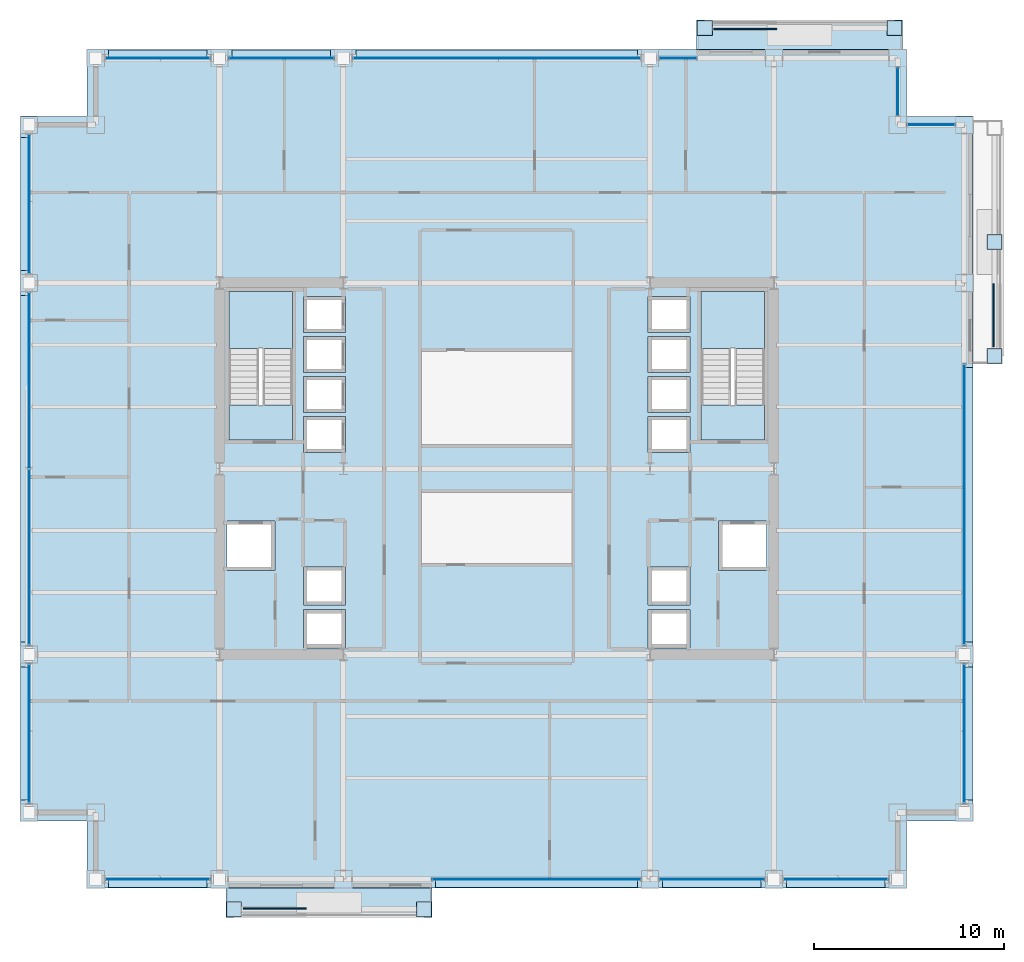
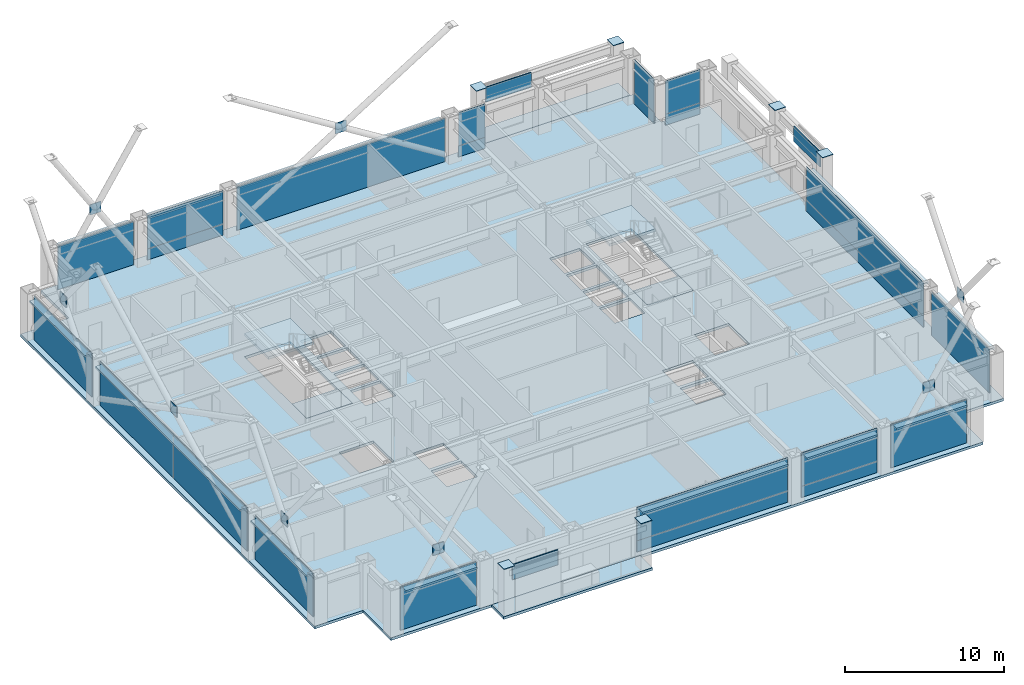
# One storey, part 26 of 34: 52 plates, 7 slabs, 17 elements without a shape of their own.
"""IFC4 building model written with IfcOpenShell, lengths in metres."""

from ifc_helpers import new_model, si_unit, direction, frame, origin, origin_2d, place, context, subcontext, project, spatial, polyline, rectangle, outline, extrude, material, layer, layer_set, type_object, element, aggregate, save


model = new_model("IFC4")

# Units and contexts
model_context = context("Model", 3, precision=1e-05, world=origin(), true_north=direction((0.0, 1.0)))
body_context = subcontext(model_context, "Body", "Model", "MODEL_VIEW")
ifc_project = project(units=[si_unit("LENGTHUNIT", "METRE"), si_unit("AREAUNIT", "SQUARE_METRE"), si_unit("VOLUMEUNIT", "CUBIC_METRE"), si_unit("PLANEANGLEUNIT", "RADIAN"), si_unit("MASSUNIT", "GRAM", prefix="KILO")], contexts=[model_context])

# Site, building, storey
site_placement = place(None, origin())
site = spatial("IfcSite", under=ifc_project, at=site_placement, CompositionType="ELEMENT")
building_placement = place(site_placement, origin())
building = spatial("IfcBuilding", under=site, at=building_placement, Name="Brelmoor Portico Tower", CompositionType="ELEMENT")
storey_placement = place(building_placement, frame((0.0, 0.0, 45.60009765625)))
storey = spatial("IfcBuildingStorey", under=building, at=storey_placement, Name="L11", CompositionType="ELEMENT", Elevation=45.60009765625)

# Plates
ifc_material_1 = material(Name="Steel Q355B", Category="steel")
ifc_layer_1 = layer(ifc_material_1, 0.044921875)
ifc_layer_set_1 = layer_set([ifc_layer_1], Name="Steel Q355B")
plate_type_1 = type_object("IfcPlateType", Name="PT-CAP-650", PredefinedType="SHEET", material=ifc_layer_set_1)
for number, where, z_axis, x_axis, name in (
    (1, (-13.780029296875, -23.1298828125, 3.599853515625), (0.0, 0.0, 1.0), (1.0, 0.0, 0.0), "L11 Proud Picture-Frame Pier PFJ-S1 Welded Head Cap Plate"),
    (2, (-3.820068359375, -23.1298828125, 3.599853515625), (0.0, 0.0, 1.0), (1.0, 0.0, 0.0), "L11 Proud Picture-Frame Pier PFJ-S2 Welded Head Cap Plate"),
    (3, (10.919921875, 23.1298828125, 3.599853515625), (0.0, 0.0, 1.0), (1.0, 0.0, 0.0), "L11 Proud Picture-Frame Pier PFJ-N1 Welded Head Cap Plate"),
    (4, (20.8798828125, 23.1298828125, 3.599853515625), (0.0, 0.0, 1.0), (1.0, 0.0, 0.0), "L11 Proud Picture-Frame Pier PFJ-N2 Welded Head Cap Plate"),
    (5, (26.1298828125, 5.919921875, 3.599853515625), (0.0, 0.0, 1.0), (0.0, 1.0, 0.0), "L11 Proud Picture-Frame Pier PFJ-E1 Welded Head Cap Plate"),
    (6, (26.1298828125, 11.89990234375, 3.599853515625), (0.0, 0.0, 1.0), (0.0, 1.0, 0.0), "L11 Proud Picture-Frame Pier PFJ-E3 Welded Head Cap Plate"),
):
    element("IfcPlate", number, at=place(storey_placement, frame(where, z_axis=z_axis, x_axis=x_axis)), inside=storey, type_object=plate_type_1, Name=name, PredefinedType="SHEET", context=body_context, shape_type="SweptSolid", body=[
        extrude(rectangle(XDim=0.7900390625, YDim=0.7900390625, at=origin_2d()), origin(), (0.0, 0.0, 1.0), 0.0400390625),
    ])

# Curtain wall, plate
ifc_material_2 = material(Name="Anodised Aluminium Alloy 6063-T6", Category="aluminium")
ifc_layer_2 = layer(ifc_material_2, 0.179931640625)
ifc_layer_set_2 = layer_set([ifc_layer_2], Name="Anodised Aluminium Alloy 6063-T6")
curtain_wall_type_1 = type_object("IfcCurtainWallType", Name="CW-TOWER-Z1", PredefinedType="NOTDEFINED", material=ifc_layer_set_2)
curtain_wall_1_placement = place(storey_placement, origin())
curtain_wall_1 = element("IfcCurtainWall", 7, at=curtain_wall_1_placement, inside=storey, type_object=curtain_wall_type_1, Name="L11 Curtain Wall CW-L11-1R-1", PredefinedType="NOTDEFINED")
ifc_material_3 = material(Name="Double-Silver Low-E Insulated Glazing", Category="glass")
ifc_layer_3 = layer(ifc_material_3, 0.035888671875)
ifc_layer_set_3 = layer_set([ifc_layer_3], Name="Double-Silver Low-E Insulated Glazing")
plate_type_2 = type_object("IfcPlateType", Name="PT-CW-GLASS", PredefinedType="CURTAIN_PANEL", material=ifc_layer_set_3)
plate_1_placement = place(storey_placement, frame((2.08251953125, -21.550048828125, 0.85009765625), z_axis=(0.0, 0.0, 1.0), x_axis=(1.0, 0.0, 0.0)))
plate_1 = element("IfcPlate", 8, at=plate_1_placement, type_object=plate_type_2, Name="CW-L11-1R-1 Vision Glass Panel 00", PredefinedType="CURTAIN_PANEL", context=body_context, shape_type="SweptSolid", body=[
    extrude(rectangle(XDim=10.93505859375, YDim=0.035888671875, at=origin_2d()), origin(), (0.0, 0.0, 1.0), 2.550048828125),
])

curtain_wall_2_placement = place(storey_placement, origin())
curtain_wall_2 = element("IfcCurtainWall", 9, at=curtain_wall_2_placement, inside=storey, type_object=curtain_wall_type_1, Name="L11 Curtain Wall CW-L11-1R-2", PredefinedType="NOTDEFINED")
plate_2_placement = place(storey_placement, frame((11.300048828125, -21.550048828125, 0.85009765625), z_axis=(0.0, 0.0, 1.0), x_axis=(1.0, 0.0, 0.0)))
plate_2 = element("IfcPlate", 10, at=plate_2_placement, type_object=plate_type_2, Name="CW-L11-1R-2 Vision Glass Panel 00", PredefinedType="CURTAIN_PANEL", context=body_context, shape_type="SweptSolid", body=[
    extrude(rectangle(XDim=5.5, YDim=0.035888671875, at=origin_2d()), origin(), (0.0, 0.0, 1.0), 2.550048828125),
])

curtain_wall_3_placement = place(storey_placement, origin())
curtain_wall_3 = element("IfcCurtainWall", 11, at=curtain_wall_3_placement, inside=storey, type_object=curtain_wall_type_1, Name="L11 Curtain Wall CW-L11-2L-2", PredefinedType="NOTDEFINED")
plate_3_placement = place(storey_placement, frame((-11.300048828125, 21.550048828125, 0.85009765625), z_axis=(0.0, 0.0, 1.0), x_axis=(1.0, 0.0, 0.0)))
plate_3 = element("IfcPlate", 12, at=plate_3_placement, type_object=plate_type_2, Name="CW-L11-2L-2 Vision Glass Panel 00", PredefinedType="CURTAIN_PANEL", context=body_context, shape_type="SweptSolid", body=[
    extrude(rectangle(XDim=5.5, YDim=0.035888671875, at=origin_2d()), origin(), (0.0, 0.0, 1.0), 2.550048828125),
])

curtain_wall_4_placement = place(storey_placement, origin())
curtain_wall_4 = element("IfcCurtainWall", 13, at=curtain_wall_4_placement, inside=storey, type_object=curtain_wall_type_1, Name="L11 Curtain Wall CW-L11-2L-4", PredefinedType="NOTDEFINED")
plate_4_placement = place(storey_placement, frame((9.517578125, 21.550048828125, 0.85009765625), z_axis=(0.0, 0.0, 1.0), x_axis=(1.0, 0.0, 0.0)))
plate_4 = element("IfcPlate", 14, at=plate_4_placement, type_object=plate_type_2, Name="CW-L11-2L-4 Vision Glass Panel 00", PredefinedType="CURTAIN_PANEL", context=body_context, shape_type="SweptSolid", body=[
    extrude(rectangle(XDim=1.93505859375, YDim=0.035888671875, at=origin_2d()), origin(), (0.0, 0.0, 1.0), 2.550048828125),
])

curtain_wall_5_placement = place(storey_placement, origin())
curtain_wall_5 = element("IfcCurtainWall", 15, at=curtain_wall_5_placement, inside=storey, type_object=curtain_wall_type_1, Name="L11 Curtain Wall CW-L11-4L-2", PredefinedType="NOTDEFINED")
plate_5_placement = place(storey_placement, frame((24.550048828125, -1.882568359375, 0.85009765625), z_axis=(0.0, 0.0, 1.0), x_axis=(0.0, 1.0, 0.0)))
plate_5 = element("IfcPlate", 16, at=plate_5_placement, type_object=plate_type_2, Name="CW-L11-4L-2 Vision Glass Panel 00", PredefinedType="CURTAIN_PANEL", context=body_context, shape_type="SweptSolid", body=[
    extrude(rectangle(XDim=14.735107421875, YDim=0.035888671875, at=origin_2d()), origin(), (0.0, 0.0, 1.0), 2.550048828125),
])

ifc_layer_4 = layer(ifc_material_2, 0.179931640625)
ifc_layer_set_4 = layer_set([ifc_layer_4], Name="Anodised Aluminium Alloy 6063-T6")
curtain_wall_type_2 = type_object("IfcCurtainWallType", Name="CW-NOTCH-CHAMFER", PredefinedType="NOTDEFINED", material=ifc_layer_set_4)
curtain_wall_6_placement = place(storey_placement, origin())
curtain_wall_6 = element("IfcCurtainWall", 17, at=curtain_wall_6_placement, inside=storey, type_object=curtain_wall_type_2, Name="L11 Curtain Wall CWN-L11-NEH", PredefinedType="NOTDEFINED")
plate_6_placement = place(storey_placement, frame((22.800048828125, 18.050048828125, 0.85009765625), z_axis=(0.0, 0.0, 1.0), x_axis=(1.0, 0.0, 0.0)))
plate_6 = element("IfcPlate", 18, at=plate_6_placement, type_object=plate_type_2, Name="CWN-L11-NEH Vision Glass Panel 00", PredefinedType="CURTAIN_PANEL", context=body_context, shape_type="SweptSolid", body=[
    extrude(rectangle(XDim=2.5, YDim=0.035888671875, at=origin_2d()), origin(), (0.0, 0.0, 1.0), 2.550048828125),
])

curtain_wall_7_placement = place(storey_placement, origin())
curtain_wall_7 = element("IfcCurtainWall", 19, at=curtain_wall_7_placement, inside=storey, type_object=curtain_wall_type_2, Name="L11 Curtain Wall CWN-L11-NEV", PredefinedType="NOTDEFINED")
plate_7_placement = place(storey_placement, frame((21.050048828125, 19.800048828125, 0.85009765625), z_axis=(0.0, 0.0, 1.0), x_axis=(0.0, 1.0, 0.0)))
plate_7 = element("IfcPlate", 20, at=plate_7_placement, type_object=plate_type_2, Name="CWN-L11-NEV Vision Glass Panel 00", PredefinedType="CURTAIN_PANEL", context=body_context, shape_type="SweptSolid", body=[
    extrude(rectangle(XDim=2.5, YDim=0.035888671875, at=origin_2d()), origin(), (0.0, 0.0, 1.0), 2.550048828125),
])

ifc_layer_5 = layer(ifc_material_2, 0.179931640625)
ifc_layer_set_5 = layer_set([ifc_layer_5], Name="Anodised Aluminium Alloy 6063-T6")
curtain_wall_type_3 = type_object("IfcCurtainWallType", Name="CW-TOWER-Z1-XB", PredefinedType="NOTDEFINED", material=ifc_layer_set_5)
curtain_wall_8_placement = place(storey_placement, origin())
curtain_wall_8 = element("IfcCurtainWall", 21, at=curtain_wall_8_placement, inside=storey, type_object=curtain_wall_type_3, Name="L11 Curtain Wall CW-L11-1L", PredefinedType="NOTDEFINED")
ifc_material_4 = material(Name="Pale Champagne Anodised Aluminium Panel", Category="aluminium")
ifc_layer_6 = layer(ifc_material_4, 0.050048828125)
ifc_layer_set_6 = layer_set([ifc_layer_6], Name="Pale Champagne Anodised Aluminium Panel")
plate_type_3 = type_object("IfcPlateType", Name="PT-CW-SPANDREL", PredefinedType="SHEET", material=ifc_layer_set_6)
plate_8_placement = place(storey_placement, frame((-17.800048828125, -21.550048828125, -0.000244140625), z_axis=(0.0, 0.0, 1.0), x_axis=(1.0, 0.0, 0.0)))
plate_8 = element("IfcPlate", 22, at=plate_8_placement, type_object=plate_type_3, Name="CW-L11-1L Spandrel Panel 00", PredefinedType="SHEET", context=body_context, shape_type="SweptSolid", body=[
    extrude(rectangle(XDim=5.5, YDim=0.050048828125, at=origin_2d()), origin(), (0.0, 0.0, 1.0), 3.330078125),
])
aggregate(curtain_wall_8, [plate_8])

# Plate
plate_9_placement = place(storey_placement, frame((2.08251953125, -21.550048828125, -0.000244140625), z_axis=(0.0, 0.0, 1.0), x_axis=(1.0, 0.0, 0.0)))
plate_9 = element("IfcPlate", 23, at=plate_9_placement, type_object=plate_type_3, Name="CW-L11-1R-1 Spandrel Panel 00", PredefinedType="SHEET", context=body_context, shape_type="SweptSolid", body=[
    extrude(rectangle(XDim=10.93505859375, YDim=0.050048828125, at=origin_2d()), origin(), (0.0, 0.0, 1.0), 0.85009765625),
])

aggregate(curtain_wall_1, [plate_9, plate_1])

plate_10_placement = place(storey_placement, frame((11.300048828125, -21.550048828125, -0.000244140625), z_axis=(0.0, 0.0, 1.0), x_axis=(1.0, 0.0, 0.0)))
plate_10 = element("IfcPlate", 24, at=plate_10_placement, type_object=plate_type_3, Name="CW-L11-1R-2 Spandrel Panel 00", PredefinedType="SHEET", context=body_context, shape_type="SweptSolid", body=[
    extrude(rectangle(XDim=5.5, YDim=0.050048828125, at=origin_2d()), origin(), (0.0, 0.0, 1.0), 0.85009765625),
])

aggregate(curtain_wall_2, [plate_10, plate_2])

# Curtain wall, plate
curtain_wall_9_placement = place(storey_placement, origin())
curtain_wall_9 = element("IfcCurtainWall", 25, at=curtain_wall_9_placement, inside=storey, type_object=curtain_wall_type_3, Name="L11 Curtain Wall CW-L11-1R-3", PredefinedType="NOTDEFINED")
plate_11_placement = place(storey_placement, frame((17.800048828125, -21.550048828125, -0.000244140625), z_axis=(0.0, 0.0, 1.0), x_axis=(1.0, 0.0, 0.0)))
plate_11 = element("IfcPlate", 26, at=plate_11_placement, type_object=plate_type_3, Name="CW-L11-1R-3 Spandrel Panel 00", PredefinedType="SHEET", context=body_context, shape_type="SweptSolid", body=[
    extrude(rectangle(XDim=5.5, YDim=0.050048828125, at=origin_2d()), origin(), (0.0, 0.0, 1.0), 3.330078125),
])
aggregate(curtain_wall_9, [plate_11])

curtain_wall_10_placement = place(storey_placement, origin())
curtain_wall_10 = element("IfcCurtainWall", 27, at=curtain_wall_10_placement, inside=storey, type_object=curtain_wall_type_3, Name="L11 Curtain Wall CW-L11-2L-1", PredefinedType="NOTDEFINED")
plate_12_placement = place(storey_placement, frame((-17.800048828125, 21.550048828125, -0.000244140625), z_axis=(0.0, 0.0, 1.0), x_axis=(1.0, 0.0, 0.0)))
plate_12 = element("IfcPlate", 28, at=plate_12_placement, type_object=plate_type_3, Name="CW-L11-2L-1 Spandrel Panel 00", PredefinedType="SHEET", context=body_context, shape_type="SweptSolid", body=[
    extrude(rectangle(XDim=5.5, YDim=0.050048828125, at=origin_2d()), origin(), (0.0, 0.0, 1.0), 3.330078125),
])
aggregate(curtain_wall_10, [plate_12])

# Plate
plate_13_placement = place(storey_placement, frame((-11.300048828125, 21.550048828125, -0.000244140625), z_axis=(0.0, 0.0, 1.0), x_axis=(1.0, 0.0, 0.0)))
plate_13 = element("IfcPlate", 29, at=plate_13_placement, type_object=plate_type_3, Name="CW-L11-2L-2 Spandrel Panel 00", PredefinedType="SHEET", context=body_context, shape_type="SweptSolid", body=[
    extrude(rectangle(XDim=5.5, YDim=0.050048828125, at=origin_2d()), origin(), (0.0, 0.0, 1.0), 0.85009765625),
])

aggregate(curtain_wall_3, [plate_13, plate_3])

# Curtain wall, plate
curtain_wall_11_placement = place(storey_placement, origin())
curtain_wall_11 = element("IfcCurtainWall", 30, at=curtain_wall_11_placement, inside=storey, type_object=curtain_wall_type_3, Name="L11 Curtain Wall CW-L11-2L-3", PredefinedType="NOTDEFINED")
plate_14_placement = place(storey_placement, frame((0.0, 21.550048828125, -0.000244140625), z_axis=(0.0, 0.0, 1.0), x_axis=(1.0, 0.0, 0.0)))
plate_14 = element("IfcPlate", 31, at=plate_14_placement, type_object=plate_type_3, Name="CW-L11-2L-3 Spandrel Panel 00", PredefinedType="SHEET", context=body_context, shape_type="SweptSolid", body=[
    extrude(rectangle(XDim=15.10009765625, YDim=0.050048828125, at=origin_2d()), origin(), (0.0, 0.0, 1.0), 3.330078125),
])
aggregate(curtain_wall_11, [plate_14])

# Plate
plate_15_placement = place(storey_placement, frame((9.517578125, 21.550048828125, -0.000244140625), z_axis=(0.0, 0.0, 1.0), x_axis=(1.0, 0.0, 0.0)))
plate_15 = element("IfcPlate", 32, at=plate_15_placement, type_object=plate_type_3, Name="CW-L11-2L-4 Spandrel Panel 00", PredefinedType="SHEET", context=body_context, shape_type="SweptSolid", body=[
    extrude(rectangle(XDim=1.93505859375, YDim=0.050048828125, at=origin_2d()), origin(), (0.0, 0.0, 1.0), 0.85009765625),
])

aggregate(curtain_wall_4, [plate_15, plate_4])

# Curtain wall, plate
curtain_wall_12_placement = place(storey_placement, origin())
curtain_wall_12 = element("IfcCurtainWall", 33, at=curtain_wall_12_placement, inside=storey, type_object=curtain_wall_type_3, Name="L11 Curtain Wall CW-L11-03-1", PredefinedType="NOTDEFINED")
plate_16_placement = place(storey_placement, frame((-24.550048828125, -13.89990234375, -0.000244140625), z_axis=(0.0, 0.0, 1.0), x_axis=(0.0, 1.0, 0.0)))
plate_16 = element("IfcPlate", 34, at=plate_16_placement, type_object=plate_type_3, Name="CW-L11-03-1 Spandrel Panel 00", PredefinedType="SHEET", context=body_context, shape_type="SweptSolid", body=[
    extrude(rectangle(XDim=7.300048828125, YDim=0.050048828125, at=origin_2d()), origin(), (0.0, 0.0, 1.0), 3.330078125),
])
aggregate(curtain_wall_12, [plate_16])

# Curtain wall, plates
curtain_wall_13_placement = place(storey_placement, origin())
curtain_wall_13 = element("IfcCurtainWall", 35, at=curtain_wall_13_placement, inside=storey, type_object=curtain_wall_type_3, Name="L11 Curtain Wall CW-L11-03-2", PredefinedType="NOTDEFINED")
plate_17_placement = place(storey_placement, frame((-24.550048828125, -4.632568359375, -0.000244140625), z_axis=(0.0, 0.0, 1.0), x_axis=(0.0, 1.0, 0.0)))
plate_17 = element("IfcPlate", 36, at=plate_17_placement, type_object=plate_type_3, Name="CW-L11-03-2 Spandrel Panel 00", PredefinedType="SHEET", context=body_context, shape_type="SweptSolid", body=[
    extrude(rectangle(XDim=9.235107421875, YDim=0.050048828125, at=origin_2d()), origin(), (0.0, 0.0, 1.0), 3.330078125),
])
plate_18_placement = place(storey_placement, frame((-24.550048828125, 4.632568359375, -0.000244140625), z_axis=(0.0, 0.0, 1.0), x_axis=(0.0, 1.0, 0.0)))
plate_18 = element("IfcPlate", 37, at=plate_18_placement, type_object=plate_type_3, Name="CW-L11-03-2 Spandrel Panel 01", PredefinedType="SHEET", context=body_context, shape_type="SweptSolid", body=[
    extrude(rectangle(XDim=9.235107421875, YDim=0.050048828125, at=origin_2d()), origin(), (0.0, 0.0, 1.0), 3.330078125),
])
aggregate(curtain_wall_13, [plate_17, plate_18])

# Curtain wall, plate
curtain_wall_14_placement = place(storey_placement, origin())
curtain_wall_14 = element("IfcCurtainWall", 38, at=curtain_wall_14_placement, inside=storey, type_object=curtain_wall_type_3, Name="L11 Curtain Wall CW-L11-03-3", PredefinedType="NOTDEFINED")
plate_19_placement = place(storey_placement, frame((-24.550048828125, 13.89990234375, -0.000244140625), z_axis=(0.0, 0.0, 1.0), x_axis=(0.0, 1.0, 0.0)))
plate_19 = element("IfcPlate", 39, at=plate_19_placement, type_object=plate_type_3, Name="CW-L11-03-3 Spandrel Panel 00", PredefinedType="SHEET", context=body_context, shape_type="SweptSolid", body=[
    extrude(rectangle(XDim=7.300048828125, YDim=0.050048828125, at=origin_2d()), origin(), (0.0, 0.0, 1.0), 3.330078125),
])
aggregate(curtain_wall_14, [plate_19])

curtain_wall_15_placement = place(storey_placement, origin())
curtain_wall_15 = element("IfcCurtainWall", 40, at=curtain_wall_15_placement, inside=storey, type_object=curtain_wall_type_3, Name="L11 Curtain Wall CW-L11-4L-1", PredefinedType="NOTDEFINED")
plate_20_placement = place(storey_placement, frame((24.550048828125, -13.89990234375, -0.000244140625), z_axis=(0.0, 0.0, 1.0), x_axis=(0.0, 1.0, 0.0)))
plate_20 = element("IfcPlate", 41, at=plate_20_placement, type_object=plate_type_3, Name="CW-L11-4L-1 Spandrel Panel 00", PredefinedType="SHEET", context=body_context, shape_type="SweptSolid", body=[
    extrude(rectangle(XDim=7.300048828125, YDim=0.050048828125, at=origin_2d()), origin(), (0.0, 0.0, 1.0), 3.330078125),
])
aggregate(curtain_wall_15, [plate_20])

# Plate
plate_21_placement = place(storey_placement, frame((24.550048828125, -1.882568359375, -0.000244140625), z_axis=(0.0, 0.0, 1.0), x_axis=(0.0, 1.0, 0.0)))
plate_21 = element("IfcPlate", 42, at=plate_21_placement, type_object=plate_type_3, Name="CW-L11-4L-2 Spandrel Panel 00", PredefinedType="SHEET", context=body_context, shape_type="SweptSolid", body=[
    extrude(rectangle(XDim=14.735107421875, YDim=0.050048828125, at=origin_2d()), origin(), (0.0, 0.0, 1.0), 0.85009765625),
])

aggregate(curtain_wall_5, [plate_21, plate_5])

plate_22_placement = place(storey_placement, frame((22.800048828125, 18.050048828125, -0.000244140625), z_axis=(0.0, 0.0, 1.0), x_axis=(1.0, 0.0, 0.0)))
plate_22 = element("IfcPlate", 43, at=plate_22_placement, type_object=plate_type_3, Name="CWN-L11-NEH Spandrel Panel 00", PredefinedType="SHEET", context=body_context, shape_type="SweptSolid", body=[
    extrude(rectangle(XDim=2.5, YDim=0.050048828125, at=origin_2d()), origin(), (0.0, 0.0, 1.0), 0.85009765625),
])

aggregate(curtain_wall_6, [plate_22, plate_6])

plate_23_placement = place(storey_placement, frame((21.050048828125, 19.800048828125, -0.000244140625), z_axis=(0.0, 0.0, 1.0), x_axis=(0.0, 1.0, 0.0)))
plate_23 = element("IfcPlate", 44, at=plate_23_placement, type_object=plate_type_3, Name="CWN-L11-NEV Spandrel Panel 00", PredefinedType="SHEET", context=body_context, shape_type="SweptSolid", body=[
    extrude(rectangle(XDim=2.5, YDim=0.050048828125, at=origin_2d()), origin(), (0.0, 0.0, 1.0), 0.85009765625),
])

aggregate(curtain_wall_7, [plate_23, plate_7])

# Plates
ifc_layer_7 = layer(ifc_material_1, 0.050048828125)
ifc_layer_set_7 = layer_set([ifc_layer_7], Name="Steel Q355B")
plate_type_4 = type_object("IfcPlateType", Name="PT-GUSSET-800", PredefinedType="USERDEFINED", material=ifc_layer_set_7)
for number, where, z_axis, x_axis, name in (
    (45, (-17.800048828125, -21.550048828125, 4.89990234375), (0.0, 0.0, 1.0), (1.0, 0.0, 0.0), "L11 Perimeter Mega-Brace Gusset 017"),
    (46, (17.800048828125, -21.550048828125, 4.89990234375), (0.0, 0.0, 1.0), (1.0, 0.0, 0.0), "L11 Perimeter Mega-Brace Gusset 018"),
    (47, (-17.800048828125, 21.550048828125, 4.89990234375), (0.0, 0.0, 1.0), (1.0, 0.0, 0.0), "L11 Perimeter Mega-Brace Gusset 019"),
    (48, (0.0, 21.550048828125, 4.89990234375), (0.0, 0.0, 1.0), (1.0, 0.0, 0.0), "L11 Perimeter Mega-Brace Gusset 020"),
):
    element("IfcPlate", number, at=place(storey_placement, frame(where, z_axis=z_axis, x_axis=x_axis)), inside=storey, type_object=plate_type_4, Name=name, ObjectType="GUSSET PLATE", PredefinedType="USERDEFINED", context=body_context, shape_type="SweptSolid", body=[
        extrude(rectangle(XDim=0.800048828125, YDim=0.050048828125, at=origin_2d()), origin(), (0.0, 0.0, 1.0), 0.800048828125),
    ])
for number, where, z_axis, x_axis, name in (
    (49, (-24.550048828125, -13.89990234375, 4.89990234375), (0.0, 0.0, 1.0), (1.0, 0.0, 0.0), "L11 Perimeter Mega-Brace Gusset 021"),
    (50, (-24.550048828125, 0.0, 4.89990234375), (0.0, 0.0, 1.0), (1.0, 0.0, 0.0), "L11 Perimeter Mega-Brace Gusset 022"),
    (51, (-24.550048828125, 13.89990234375, 4.89990234375), (0.0, 0.0, 1.0), (1.0, 0.0, 0.0), "L11 Perimeter Mega-Brace Gusset 023"),
    (52, (24.550048828125, -13.89990234375, 4.89990234375), (0.0, 0.0, 1.0), (1.0, 0.0, 0.0), "L11 Perimeter Mega-Brace Gusset 024"),
):
    element("IfcPlate", number, at=place(storey_placement, frame(where, z_axis=z_axis, x_axis=x_axis)), inside=storey, type_object=plate_type_4, Name=name, ObjectType="GUSSET PLATE", PredefinedType="USERDEFINED", context=body_context, shape_type="SweptSolid", body=[
        extrude(rectangle(XDim=0.050048828125, YDim=0.800048828125, at=origin_2d()), origin(), (0.0, 0.0, 1.0), 0.800048828125),
    ])
ifc_material_5 = material(Name="Powder-Coated Aluminium Shuttered Jalousie Louvre", Category="aluminium")
ifc_layer_8 = layer(ifc_material_5, 0.06005859375)
ifc_layer_set_8 = layer_set([ifc_layer_8], Name="Powder-Coated Aluminium Shuttered Jalousie Louvre")
plate_type_5 = type_object("IfcPlateType", Name="PT-JALOUSIE-SHUTTER", PredefinedType="SHEET", material=ifc_layer_set_8)
for number, where, z_axis, x_axis, name in (
    (53, (-11.64990234375, -23.080078125, 2.27490234375), (0.0, 0.0, 1.0), (1.0, 0.0, 0.0), "L11 Shuttered Veranda Screen S"),
    (54, (13.050048828125, 23.080078125, 2.27490234375), (0.0, 0.0, 1.0), (1.0, 0.0, 0.0), "L11 Shuttered Veranda Screen N"),
    (55, (26.080078125, 8.050048828125, 2.27490234375), (0.0, 0.0, 1.0), (0.0, 1.0, 0.0), "L11 Shuttered Veranda Screen E"),
):
    element("IfcPlate", number, at=place(storey_placement, frame(where, z_axis=z_axis, x_axis=x_axis)), inside=storey, type_object=plate_type_5, Name=name, PredefinedType="SHEET", context=body_context, shape_type="SweptSolid", body=[
        extrude(rectangle(XDim=3.300048828125, YDim=0.080078125, at=origin_2d()), origin(), (0.0, 0.0, 1.0), 1.14990234375),
    ])
ifc_material_6 = material(Name="Pale Champagne Perforated Aluminium Solar Screen", Category="aluminium")
ifc_layer_9 = layer(ifc_material_6, 0.054931640625)
ifc_layer_set_9 = layer_set([ifc_layer_9], Name="Pale Champagne Perforated Aluminium Solar Screen")
plate_type_6 = type_object("IfcPlateType", Name="PT-SOLAR-LOUVRE", PredefinedType="SHEET", material=ifc_layer_set_9)
plate_24_placement = place(storey_placement, frame((-17.800048828125, -21.760009765625, 3.08984375), z_axis=(0.0, 0.0, 1.0), x_axis=(1.0, 0.0, 0.0)))
element("IfcPlate", 56, at=plate_24_placement, inside=storey, type_object=plate_type_6, Name="CW-L11-1L Caribbean Brise-Soleil Solar Screen", PredefinedType="SHEET", context=body_context, shape_type="SweptSolid", body=[
    extrude(rectangle(XDim=5.169921875, YDim=0.4599609375, at=origin_2d()), origin(), (0.0, 0.0, 1.0), 0.139892578125),
])
plate_25_placement = place(storey_placement, frame((2.08251953125, -21.760009765625, 3.08984375), z_axis=(0.0, 0.0, 1.0), x_axis=(1.0, 0.0, 0.0)))
element("IfcPlate", 57, at=plate_25_placement, inside=storey, type_object=plate_type_6, Name="CW-L11-1R-1 Caribbean Brise-Soleil Solar Screen", PredefinedType="SHEET", context=body_context, shape_type="SweptSolid", body=[
    extrude(rectangle(XDim=10.60498046875, YDim=0.4599609375, at=origin_2d()), origin(), (0.0, 0.0, 1.0), 0.139892578125),
])
for number, where, z_axis, x_axis, name in (
    (58, (11.300048828125, -21.760009765625, 3.08984375), (0.0, 0.0, 1.0), (1.0, 0.0, 0.0), "CW-L11-1R-2 Caribbean Brise-Soleil Solar Screen"),
    (59, (17.800048828125, -21.760009765625, 3.08984375), (0.0, 0.0, 1.0), (1.0, 0.0, 0.0), "CW-L11-1R-3 Caribbean Brise-Soleil Solar Screen"),
    (60, (-17.800048828125, 21.760009765625, 3.08984375), (0.0, 0.0, 1.0), (1.0, 0.0, 0.0), "CW-L11-2L-1 Caribbean Brise-Soleil Solar Screen"),
    (61, (-11.300048828125, 21.760009765625, 3.08984375), (0.0, 0.0, 1.0), (1.0, 0.0, 0.0), "CW-L11-2L-2 Caribbean Brise-Soleil Solar Screen"),
):
    element("IfcPlate", number, at=place(storey_placement, frame(where, z_axis=z_axis, x_axis=x_axis)), inside=storey, type_object=plate_type_6, Name=name, PredefinedType="SHEET", context=body_context, shape_type="SweptSolid", body=[
        extrude(rectangle(XDim=5.169921875, YDim=0.4599609375, at=origin_2d()), origin(), (0.0, 0.0, 1.0), 0.139892578125),
    ])
plate_26_placement = place(storey_placement, frame((0.0, 21.760009765625, 3.08984375), z_axis=(0.0, 0.0, 1.0), x_axis=(1.0, 0.0, 0.0)))
element("IfcPlate", 62, at=plate_26_placement, inside=storey, type_object=plate_type_6, Name="CW-L11-2L-3 Caribbean Brise-Soleil Solar Screen", PredefinedType="SHEET", context=body_context, shape_type="SweptSolid", body=[
    extrude(rectangle(XDim=14.77001953125, YDim=0.4599609375, at=origin_2d()), origin(), (0.0, 0.0, 1.0), 0.139892578125),
])
plate_27_placement = place(storey_placement, frame((-24.760009765625, -13.89990234375, 3.08984375), z_axis=(0.0, 0.0, 1.0), x_axis=(0.0, 1.0, 0.0)))
element("IfcPlate", 63, at=plate_27_placement, inside=storey, type_object=plate_type_6, Name="CW-L11-03-1 Caribbean Brise-Soleil Solar Screen", PredefinedType="SHEET", context=body_context, shape_type="SweptSolid", body=[
    extrude(rectangle(XDim=6.969970703125, YDim=0.4599609375, at=origin_2d()), origin(), (0.0, 0.0, 1.0), 0.139892578125),
])
plate_28_placement = place(storey_placement, frame((-24.760009765625, 0.0, 3.08984375), z_axis=(0.0, 0.0, 1.0), x_axis=(0.0, 1.0, 0.0)))
element("IfcPlate", 64, at=plate_28_placement, inside=storey, type_object=plate_type_6, Name="CW-L11-03-2 Caribbean Brise-Soleil Solar Screen", PredefinedType="SHEET", context=body_context, shape_type="SweptSolid", body=[
    extrude(rectangle(XDim=18.169921875, YDim=0.4599609375, at=origin_2d()), origin(), (0.0, 0.0, 1.0), 0.139892578125),
])
for number, where, z_axis, x_axis, name in (
    (65, (-24.760009765625, 13.89990234375, 3.08984375), (0.0, 0.0, 1.0), (0.0, 1.0, 0.0), "CW-L11-03-3 Caribbean Brise-Soleil Solar Screen"),
    (66, (24.760009765625, -13.89990234375, 3.08984375), (0.0, 0.0, 1.0), (0.0, 1.0, 0.0), "CW-L11-4L-1 Caribbean Brise-Soleil Solar Screen"),
):
    element("IfcPlate", number, at=place(storey_placement, frame(where, z_axis=z_axis, x_axis=x_axis)), inside=storey, type_object=plate_type_6, Name=name, PredefinedType="SHEET", context=body_context, shape_type="SweptSolid", body=[
        extrude(rectangle(XDim=6.969970703125, YDim=0.4599609375, at=origin_2d()), origin(), (0.0, 0.0, 1.0), 0.139892578125),
    ])
plate_29_placement = place(storey_placement, frame((24.760009765625, -1.882568359375, 3.08984375), z_axis=(0.0, 0.0, 1.0), x_axis=(0.0, 1.0, 0.0)))
element("IfcPlate", 67, at=plate_29_placement, inside=storey, type_object=plate_type_6, Name="CW-L11-4L-2 Caribbean Brise-Soleil Solar Screen", PredefinedType="SHEET", context=body_context, shape_type="SweptSolid", body=[
    extrude(rectangle(XDim=14.405029296875, YDim=0.4599609375, at=origin_2d()), origin(), (0.0, 0.0, 1.0), 0.139892578125),
])

# Slabs
ifc_material_7 = material(Name="Concrete C40", Category="concrete")
ifc_layer_10 = layer(ifc_material_7, 0.199951171875)
ifc_layer_set_10 = layer_set([ifc_layer_10], Name="Concrete C40")
slab_type_1 = type_object("IfcSlabType", Name="SL-BALCONY-200", PredefinedType="FLOOR", material=ifc_layer_set_10)
slab_1_placement = place(storey_placement, frame((0.0, 0.0, -0.2001953125)))
element("IfcSlab", 68, at=slab_1_placement, inside=storey, type_object=slab_type_1, Name="L11 Loggia Tree Balcony Slab S", PredefinedType="FLOOR", context=body_context, shape_type="SweptSolid", body=[
    extrude(outline(polyline([(-14.199951171875, -23.550048828125), (-3.39990234375, -23.550048828125), (-3.39990234375, -22.0), (-14.199951171875, -22.0), (-14.199951171875, -23.550048828125)])), origin(), (0.0, 0.0, 1.0), 0.2001953125),
])
slab_2_placement = place(storey_placement, frame((0.0, 0.0, -0.2001953125)))
element("IfcSlab", 69, at=slab_2_placement, inside=storey, type_object=slab_type_1, Name="L11 Loggia Tree Balcony Slab N", PredefinedType="FLOOR", context=body_context, shape_type="SweptSolid", body=[
    extrude(outline(polyline([(10.5, 22.0), (21.300048828125, 22.0), (21.300048828125, 23.550048828125), (10.5, 23.550048828125), (10.5, 22.0)])), origin(), (0.0, 0.0, 1.0), 0.2001953125),
])
ifc_layer_11 = layer(ifc_material_7, 0.199951171875)
ifc_layer_set_11 = layer_set([ifc_layer_11], Name="Concrete C40")
slab_type_2 = type_object("IfcSlabType", Name="SL-FLOOR-200", PredefinedType="FLOOR", material=ifc_layer_set_11)
slab_3_placement = place(storey_placement, frame((0.0, 0.0, -0.2001953125)))
element("IfcSlab", 70, at=slab_3_placement, inside=storey, type_object=slab_type_2, Name="L11 Main Structural Floor Slab", PredefinedType="FLOOR", context=body_context, shape_type="SweptSolid", body=[
    extrude(outline(polyline([(-21.5, -22.0), (21.5, -22.0), (21.5, -18.5), (25.0, -18.5), (25.0, 18.5), (21.5, 18.5), (21.5, 22.0), (-21.5, 22.0), (-21.5, 18.5), (-25.0, 18.5), (-25.0, -18.5), (-21.5, -18.5), (-21.5, -22.0)]), holes=[polyline([(-10.72998046875, 1.5), (-10.72998046875, 9.300048828125), (-14.050048828125, 9.300048828125), (-14.050048828125, 1.5), (-10.72998046875, 1.5)]), polyline([(14.050048828125, 1.5), (14.050048828125, 9.300048828125), (10.72998046875, 9.300048828125), (10.72998046875, 1.5), (14.050048828125, 1.5)]), polyline([(-10.14990234375, 0.85009765625), (-7.949951171875, 0.85009765625), (-7.949951171875, 2.75), (-10.14990234375, 2.75), (-10.14990234375, 0.85009765625)]), polyline([(-10.14990234375, 2.949951171875), (-7.949951171875, 2.949951171875), (-7.949951171875, 4.85009765625), (-10.14990234375, 4.85009765625), (-10.14990234375, 2.949951171875)]), polyline([(-10.14990234375, 5.050048828125), (-7.949951171875, 5.050048828125), (-7.949951171875, 6.949951171875), (-10.14990234375, 6.949951171875), (-10.14990234375, 5.050048828125)]), polyline([(-10.14990234375, 7.14990234375), (-7.949951171875, 7.14990234375), (-7.949951171875, 9.050048828125), (-10.14990234375, 9.050048828125), (-10.14990234375, 7.14990234375)]), polyline([(7.949951171875, 0.85009765625), (10.14990234375, 0.85009765625), (10.14990234375, 2.75), (7.949951171875, 2.75), (7.949951171875, 0.85009765625)]), polyline([(7.949951171875, 2.949951171875), (10.14990234375, 2.949951171875), (10.14990234375, 4.85009765625), (7.949951171875, 4.85009765625), (7.949951171875, 2.949951171875)]), polyline([(7.949951171875, 5.050048828125), (10.14990234375, 5.050048828125), (10.14990234375, 6.949951171875), (7.949951171875, 6.949951171875), (7.949951171875, 5.050048828125)]), polyline([(7.949951171875, 7.14990234375), (10.14990234375, 7.14990234375), (10.14990234375, 9.050048828125), (7.949951171875, 9.050048828125), (7.949951171875, 7.14990234375)]), polyline([(-10.14990234375, -9.39990234375), (-7.949951171875, -9.39990234375), (-7.949951171875, -7.39990234375), (-10.14990234375, -7.39990234375), (-10.14990234375, -9.39990234375)]), polyline([(-10.14990234375, -7.14990234375), (-7.949951171875, -7.14990234375), (-7.949951171875, -5.14990234375), (-10.14990234375, -5.14990234375), (-10.14990234375, -7.14990234375)]), polyline([(7.949951171875, -9.39990234375), (10.14990234375, -9.39990234375), (10.14990234375, -7.39990234375), (7.949951171875, -7.39990234375), (7.949951171875, -9.39990234375)]), polyline([(7.949951171875, -7.14990234375), (10.14990234375, -7.14990234375), (10.14990234375, -5.14990234375), (7.949951171875, -5.14990234375), (7.949951171875, -7.14990234375)]), polyline([(-14.14990234375, -5.35009765625), (-11.64990234375, -5.35009765625), (-11.64990234375, -2.75), (-14.14990234375, -2.75), (-14.14990234375, -5.35009765625)]), polyline([(11.64990234375, -5.35009765625), (14.14990234375, -5.35009765625), (14.14990234375, -2.75), (11.64990234375, -2.75), (11.64990234375, -5.35009765625)])]), origin(), (0.0, 0.0, 1.0), 0.2001953125),
])

# Stair, slab
stair_type_1 = type_object("IfcStairType", Name="ST-CORE-W", PredefinedType="HALF_TURN_STAIR", material=ifc_material_7)
stair_1_placement = place(storey_placement, origin())
stair_1 = element("IfcStair", 71, at=stair_1_placement, inside=storey, type_object=stair_type_1, Name="L11 Protected Core Exit Stair ST-W", PredefinedType="HALF_TURN_STAIR")
ifc_layer_12 = layer(ifc_material_7, 0.179931640625)
ifc_layer_set_12 = layer_set([ifc_layer_12], Name="Concrete C40")
slab_type_3 = type_object("IfcSlabType", Name="SL-LANDING-180", PredefinedType="LANDING", material=ifc_layer_set_12)
slab_4_placement = place(storey_placement, frame((0.0, 0.0, 1.599853515625)))
slab_4 = element("IfcSlab", 72, at=slab_4_placement, type_object=slab_type_3, Name="ST-W landing 1", PredefinedType="LANDING", context=body_context, shape_type="SweptSolid", body=[
    extrude(outline(polyline([(-10.72998046875, 6.300048828125), (-10.72998046875, 9.300048828125), (-14.050048828125, 9.300048828125), (-14.050048828125, 6.300048828125), (-10.72998046875, 6.300048828125)])), origin(), (0.0, 0.0, 1.0), 0.199951171875),
])
aggregate(stair_1, [slab_4])

stair_type_2 = type_object("IfcStairType", Name="ST-CORE-E", PredefinedType="HALF_TURN_STAIR", material=ifc_material_7)
stair_2_placement = place(storey_placement, origin())
stair_2 = element("IfcStair", 73, at=stair_2_placement, inside=storey, type_object=stair_type_2, Name="L11 Protected Core Exit Stair ST-E", PredefinedType="HALF_TURN_STAIR")
slab_5_placement = place(storey_placement, frame((0.0, 0.0, 1.599853515625)))
slab_5 = element("IfcSlab", 74, at=slab_5_placement, type_object=slab_type_3, Name="ST-E landing 1", PredefinedType="LANDING", context=body_context, shape_type="SweptSolid", body=[
    extrude(outline(polyline([(14.050048828125, 6.300048828125), (14.050048828125, 9.300048828125), (10.72998046875, 9.300048828125), (10.72998046875, 6.300048828125), (14.050048828125, 6.300048828125)])), origin(), (0.0, 0.0, 1.0), 0.199951171875),
])
aggregate(stair_2, [slab_5])

# Slabs
ifc_layer_13 = layer(ifc_material_7, 0.199951171875)
ifc_layer_set_13 = layer_set([ifc_layer_13], Name="Concrete C40")
slab_type_4 = type_object("IfcSlabType", Name="SL-STAIR-FL200", PredefinedType="LANDING", material=ifc_layer_set_13)
slab_6_placement = place(storey_placement, frame((0.0, 0.0, -0.2001953125)))
element("IfcSlab", 75, at=slab_6_placement, inside=storey, type_object=slab_type_4, Name="L11 ST-W Structural Floor Landing Slab", PredefinedType="LANDING", context=body_context, shape_type="SweptSolid", body=[
    extrude(outline(polyline([(-10.72998046875, 1.5), (-10.72998046875, 3.35009765625), (-14.050048828125, 3.35009765625), (-14.050048828125, 1.5), (-10.72998046875, 1.5)])), origin(), (0.0, 0.0, 1.0), 0.2001953125),
])
slab_7_placement = place(storey_placement, frame((0.0, 0.0, -0.2001953125)))
element("IfcSlab", 76, at=slab_7_placement, inside=storey, type_object=slab_type_4, Name="L11 ST-E Structural Floor Landing Slab", PredefinedType="LANDING", context=body_context, shape_type="SweptSolid", body=[
    extrude(outline(polyline([(14.050048828125, 1.5), (14.050048828125, 3.35009765625), (10.72998046875, 3.35009765625), (10.72998046875, 1.5), (14.050048828125, 1.5)])), origin(), (0.0, 0.0, 1.0), 0.2001953125),
])

save(model, "model.ifc")
